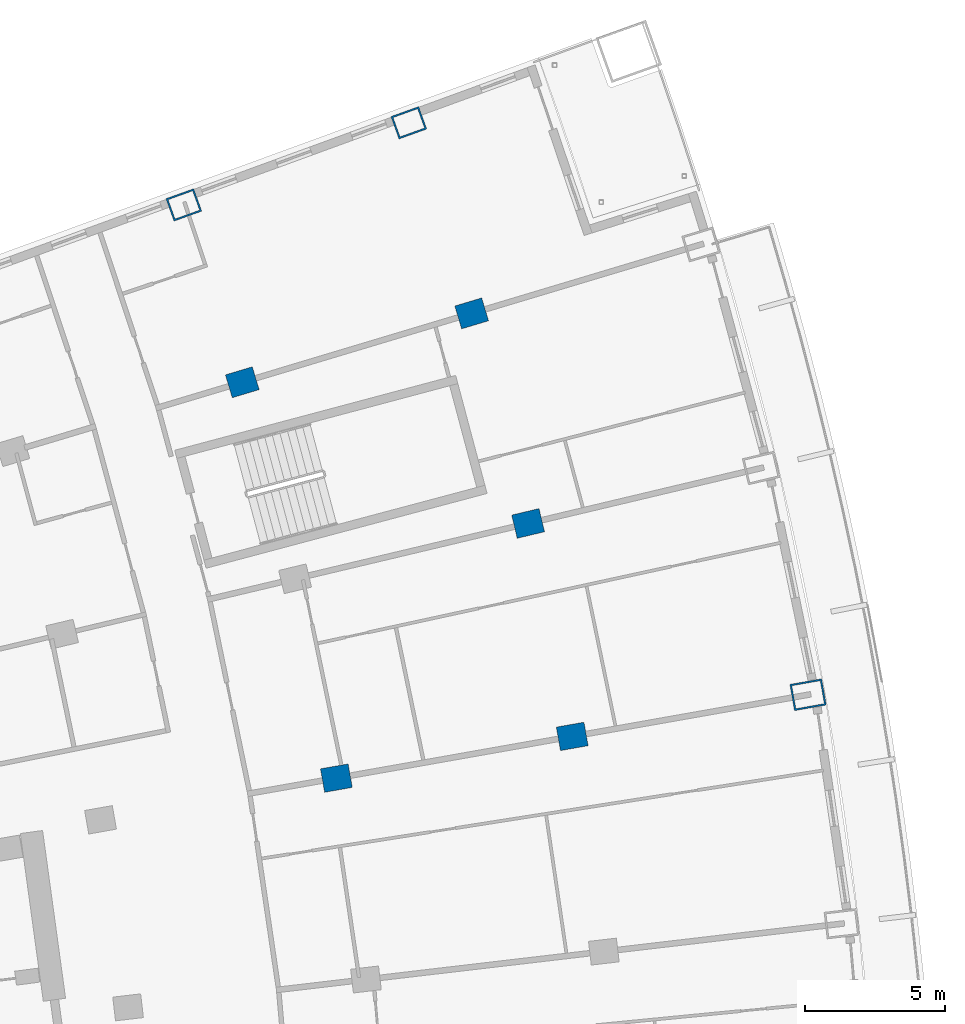
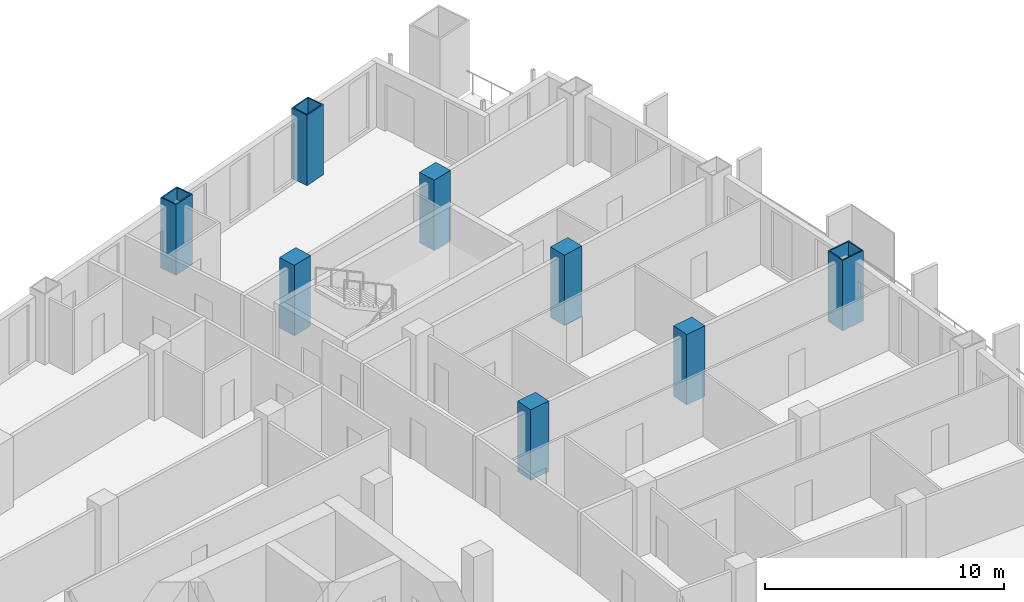
# One storey, part 10 of 24: 8 columns.
"""IFC4 building model written with IfcOpenShell, lengths in metres."""

from ifc_helpers import new_model, si_unit, direction, frame, origin, origin_2d, place, context, subcontext, project, spatial, rectangle, hollow_rectangle, extrude, material, material_profile, profile_set, type_object, element, save


model = new_model("IFC4")

# Units and contexts
model_context = context("Model", 3, precision=1e-05, world=origin(), true_north=direction((0.0, 1.0)))
body_context = subcontext(model_context, "Body", "Model", "MODEL_VIEW")
ifc_project = project(units=[si_unit("LENGTHUNIT", "METRE"), si_unit("AREAUNIT", "SQUARE_METRE"), si_unit("VOLUMEUNIT", "CUBIC_METRE"), si_unit("PLANEANGLEUNIT", "RADIAN"), si_unit("MASSUNIT", "GRAM", prefix="KILO")], contexts=[model_context])

# Site, building, storey
site_placement = place(None, origin())
site = spatial("IfcSite", under=ifc_project, at=site_placement, CompositionType="ELEMENT")
building_placement = place(site_placement, origin())
building = spatial("IfcBuilding", under=site, at=building_placement, Name="Alderwake Tower", CompositionType="ELEMENT")
storey_placement = place(building_placement, frame((0.0, 0.0, 96.800048828125)))
storey = spatial("IfcBuildingStorey", under=building, at=storey_placement, Name="L23", CompositionType="ELEMENT", Elevation=96.800048828125)

# Columns
ifc_material_1 = material(Name="Steel ASTM A572 Grade 50 concrete filled C70/85", Category="concrete")
ifc_material_profile_1 = material_profile(ifc_material_1, hollow_rectangle(XDim=0.85009765625, YDim=1.050048828125, WallThickness=0.06005859375, at=origin_2d()), Name="BOX 1050X850X60")
ifc_profile_set_1 = profile_set([ifc_material_profile_1], Name="Steel ASTM A572 Grade 50 concrete filled C70/85")
column_type_1 = type_object("IfcColumnType", Name="End column Z2", PredefinedType="COLUMN", material=ifc_profile_set_1)
for number, where, z_axis, x_axis, name in (
    (1, (36.999755859375, 103.069580078125, 0.0), (0.0, 0.0, 1.0), (-0.338360199215, 0.941016671259, 0.0), "Column R13-C3"),
    (2, (45.015869140625, 105.99560546875, 0.0), (0.0, 0.0, 1.0), (-0.33865252722, 0.940911507958, 0.0), "Column R13-C4"),
):
    element("IfcColumn", number, at=place(storey_placement, frame(where, z_axis=z_axis, x_axis=x_axis)), inside=storey, type_object=column_type_1, Name=name, PredefinedType="COLUMN", context=body_context, shape_type="SweptSolid", body=[
        extrude(hollow_rectangle(XDim=0.85009765625, YDim=1.050048828125, WallThickness=0.06005859375, at=origin_2d()), origin(), (0.0, 0.0, 1.0), 3.599853515625),
    ])
ifc_material_2 = material(Name="Concrete C70/85", Category="concrete")
ifc_material_profile_2 = material_profile(ifc_material_2, rectangle(XDim=0.85009765625, YDim=1.0, at=origin_2d()), Name="RC 1000X850")
ifc_profile_set_2 = profile_set([ifc_material_profile_2], Name="Concrete C70/85")
column_type_2 = type_object("IfcColumnType", Name="Interior column Z2", PredefinedType="COLUMN", material=ifc_profile_set_2)
for number, where, z_axis, x_axis, name in (
    (3, (42.434326171875, 82.6474609375, 0.0), (0.0, 0.0, 1.0), (-0.174107082075, 0.984726725529, 0.0), "Column R10-C3"),
    (4, (50.83740234375, 84.13330078125, 0.0), (0.0, 0.0, 1.0), (-0.174108800747, 0.984726421654, 0.0), "Column R10-C4"),
    (5, (49.26611328125, 91.7216796875, 0.0), (0.0, 0.0, 1.0), (-0.231221547198, 0.972901123502, 0.0), "Column R11-C4"),
    (6, (39.082275390625, 96.751953125, 0.0), (0.0, 0.0, 1.0), (-0.287549418125, 0.957765802342, 0.0), "Column R12-C3"),
    (7, (47.255126953125, 99.205810546875, 0.0), (0.0, 0.0, 1.0), (-0.287549418125, 0.957765802342, 0.0), "Column R12-C4"),
):
    element("IfcColumn", number, at=place(storey_placement, frame(where, z_axis=z_axis, x_axis=x_axis)), inside=storey, type_object=column_type_2, Name=name, PredefinedType="COLUMN", context=body_context, shape_type="SweptSolid", body=[
        extrude(rectangle(XDim=0.85009765625, YDim=1.0, at=origin_2d()), origin(), (0.0, 0.0, 1.0), 3.599853515625),
    ])
ifc_material_3 = material(Name="Steel ASTM A572 Grade 50 concrete filled C70/85", Category="concrete")
ifc_material_profile_3 = material_profile(ifc_material_3, hollow_rectangle(XDim=0.949951171875, YDim=1.14990234375, WallThickness=0.06005859375, at=origin_2d()), Name="BOX 1150X950X60")
ifc_profile_set_3 = profile_set([ifc_material_profile_3], Name="Steel ASTM A572 Grade 50 concrete filled C70/85")
column_type_3 = type_object("IfcColumnType", Name="Perimeter column Z2", PredefinedType="COLUMN", material=ifc_profile_set_3)
column_placement = place(storey_placement, frame((59.240234375, 85.618896484375, 0.0), z_axis=(0.0, 0.0, 1.0), x_axis=(-0.174108800747, 0.984726421654, 0.0)))
element("IfcColumn", 8, at=column_placement, inside=storey, type_object=column_type_3, Name="Column R10-C5", PredefinedType="COLUMN", context=body_context, shape_type="SweptSolid", body=[
    extrude(hollow_rectangle(XDim=0.949951171875, YDim=1.14990234375, WallThickness=0.06005859375, at=origin_2d()), origin(), (0.0, 0.0, 1.0), 3.599853515625),
])

save(model, "model.ifc")
